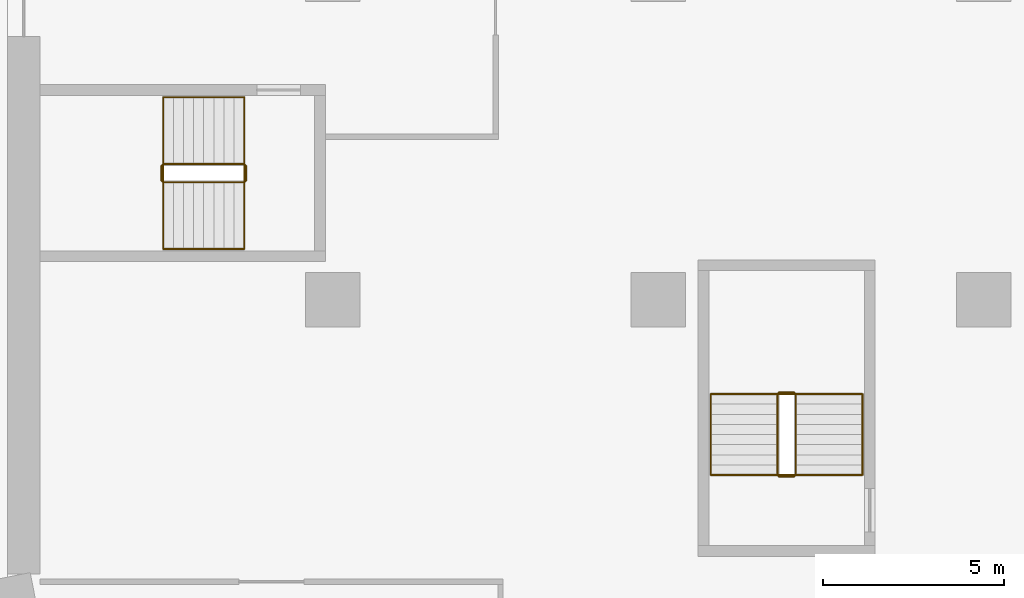
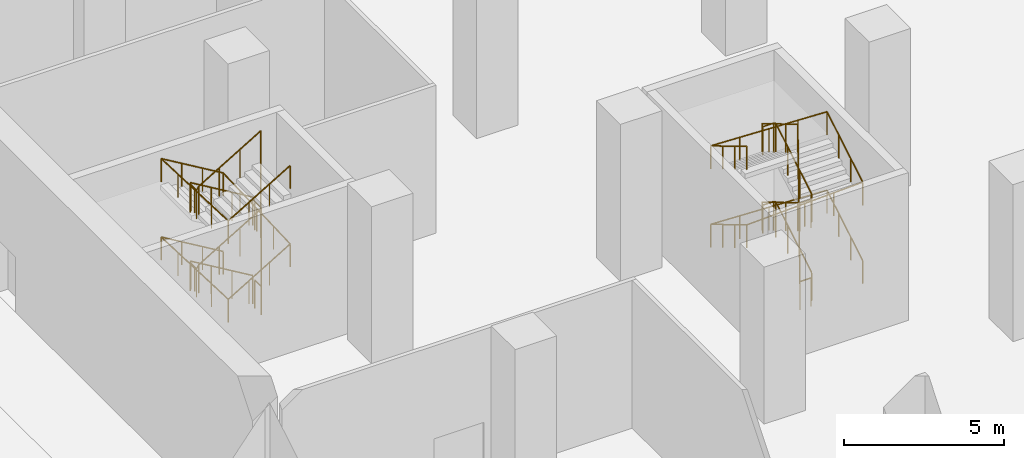
# One storey, part 36 of 47: 4 railings.
"""IFC4 building model written with IfcOpenShell, lengths in metres."""

from ifc_helpers import new_model, si_unit, direction, frame, origin, origin_2d, place, context, subcontext, project, spatial, circle, extrude, material, type_object, element, save


model = new_model("IFC4")

# Units and contexts
model_context = context("Model", 3, precision=1e-05, world=origin(), true_north=direction((0.0, 1.0)))
body_context = subcontext(model_context, "Body", "Model", "MODEL_VIEW")
ifc_project = project(units=[si_unit("LENGTHUNIT", "METRE"), si_unit("AREAUNIT", "SQUARE_METRE"), si_unit("VOLUMEUNIT", "CUBIC_METRE"), si_unit("PLANEANGLEUNIT", "RADIAN"), si_unit("MASSUNIT", "GRAM", prefix="KILO")], contexts=[model_context])

# Site, building, storey
site_placement = place(None, origin())
site = spatial("IfcSite", under=ifc_project, at=site_placement, CompositionType="ELEMENT")
building_placement = place(site_placement, origin())
building = spatial("IfcBuilding", under=site, at=building_placement, Name="Hunhe Ridgeline Campus", CompositionType="ELEMENT")
storey_placement = place(building_placement, origin())
storey = spatial("IfcBuildingStorey", under=building, at=storey_placement, Name="L00", CompositionType="ELEMENT", Elevation=0.0)

# Railings
ifc_material_1 = material(Name="Stainless steel balustrade", Category="steel")
railing_type_1 = type_object("IfcRailingType", Name="Stair guard 1100 stainless", PredefinedType="GUARDRAIL", material=ifc_material_1)
railing_1_placement = place(storey_placement, frame((21.800048828125, 31.14990234375, 0.166748046875)))
element("IfcRailing", 1, at=railing_1_placement, inside=storey, type_object=railing_type_1, Name="L00 stair W3 guard", PredefinedType="GUARDRAIL", context=body_context, shape_type="SweptSolid", body=[
    extrude(circle(Radius=0.02392578125, at=origin_2d()), frame((0.0, 0.0, 1.076171875), z_axis=(0.0, 0.859305625298, 0.511462454469), x_axis=(-1.0, 0.0, 0.0)), (0.0, 0.0, 1.0), 2.606689453125),
    extrude(circle(Radius=0.02392578125, at=origin_2d()), frame((0.0, 2.239990234375, 2.4091796875), z_axis=(-0.707106781187, 0.707106781187, 0.0), x_axis=(-0.707106781187, -0.707106781187, 0.0)), (0.0, 0.0, 1.0), 0.07080078125),
    extrude(circle(Radius=0.02392578125, at=origin_2d()), frame((-0.050048828125, 2.2900390625, 2.4091796875), z_axis=(-1.0, 0.0, 0.0), x_axis=(0.0, -1.0, 0.0)), (0.0, 0.0, 1.0), 0.39990234375),
    extrude(circle(Radius=0.02392578125, at=origin_2d()), frame((-0.449951171875, 2.2900390625, 2.4091796875), z_axis=(-0.27628659633, -0.27628659633, 0.920506074601), x_axis=(0.707106781187, -0.707106781187, 0.0)), (0.0, 0.0, 1.0), 0.18115234375),
    extrude(circle(Radius=0.02392578125, at=origin_2d()), frame((-0.5, 2.239990234375, 2.576171875), z_axis=(0.0, -0.859305625298, 0.511462454469), x_axis=(1.0, 0.0, 0.0)), (0.0, 0.0, 1.0), 2.606689453125),
    extrude(circle(Radius=0.02392578125, at=origin_2d()), frame((-0.5, 0.0, 3.9091796875), z_axis=(0.708833529934, -0.705375805398, 0.0), x_axis=(0.705375805398, 0.708833529934, 0.0)), (0.0, 0.0, 1.0), 0.070556640625),
    extrude(circle(Radius=0.02392578125, at=origin_2d()), frame((-0.449951171875, -0.0498046875, 3.9091796875), z_axis=(1.0, 0.0, 0.0), x_axis=(0.0, 1.0, 0.0)), (0.0, 0.0, 1.0), 0.39990234375),
    extrude(circle(Radius=0.02392578125, at=origin_2d()), frame((-0.050048828125, -0.0498046875, 3.9091796875), z_axis=(0.276389281352, 0.275041040955, 0.920848191041), x_axis=(-0.705375805398, 0.708833529934, 0.0)), (0.0, 0.0, 1.0), 0.18115234375),
    extrude(circle(Radius=0.02392578125, at=origin_2d()), frame((0.0, 0.0, 4.076171875), z_axis=(0.0, 0.859305625298, 0.511462454469), x_axis=(-1.0, 0.0, 0.0)), (0.0, 0.0, 1.0), 2.606689453125),
    extrude(circle(Radius=0.02392578125, at=origin_2d()), frame((0.0, 2.239990234375, 5.4091796875), z_axis=(-0.707106781187, 0.707106781187, 0.0), x_axis=(-0.707106781187, -0.707106781187, 0.0)), (0.0, 0.0, 1.0), 0.07080078125),
    extrude(circle(Radius=0.02392578125, at=origin_2d()), frame((-0.050048828125, 2.2900390625, 5.4091796875), z_axis=(-1.0, 0.0, 0.0), x_axis=(0.0, -1.0, 0.0)), (0.0, 0.0, 1.0), 0.39990234375),
    extrude(circle(Radius=0.02392578125, at=origin_2d()), frame((-0.449951171875, 2.2900390625, 5.4091796875), z_axis=(-0.27628659633, -0.27628659633, 0.920506074601), x_axis=(0.707106781187, -0.707106781187, 0.0)), (0.0, 0.0, 1.0), 0.18115234375),
    extrude(circle(Radius=0.02392578125, at=origin_2d()), frame((-0.5, 2.239990234375, 5.576171875), z_axis=(0.0, -0.859305625298, 0.511462454469), x_axis=(1.0, 0.0, 0.0)), (0.0, 0.0, 1.0), 2.606689453125),
    extrude(circle(Radius=0.02392578125, at=origin_2d()), frame((-0.5, 0.0, 6.9091796875), z_axis=(0.008340893838, -0.008300206551, -0.999930765634), x_axis=(1.0, 0.0, 0.0)), (0.0, 0.0, 1.0), 6.00048828125),
    extrude(circle(Radius=0.02392578125, at=origin_2d()), frame((-0.449951171875, -0.0498046875, 0.9091796875), z_axis=(1.0, 0.0, 0.0), x_axis=(0.0, 1.0, 0.0)), (0.0, 0.0, 1.0), 0.39990234375),
    extrude(circle(Radius=0.02099609375, at=origin_2d()), origin(), (0.0, 0.0, 1.0), 1.052001953125),
    extrude(circle(Radius=0.02099609375, at=origin_2d()), frame((0.0, 0.74658203125, 0.4443359375)), (0.0, 0.0, 1.0), 1.052001953125),
    extrude(circle(Radius=0.02099609375, at=origin_2d()), frame((0.0, 1.493408203125, 0.888916015625)), (0.0, 0.0, 1.0), 1.052001953125),
    extrude(circle(Radius=0.02099609375, at=origin_2d()), frame((0.0, 2.239990234375, 1.333251953125)), (0.0, 0.0, 1.0), 1.052001953125),
    extrude(circle(Radius=0.02099609375, at=origin_2d()), frame((-0.050048828125, 2.2900390625, 1.333251953125)), (0.0, 0.0, 1.0), 1.052001953125),
    extrude(circle(Radius=0.02099609375, at=origin_2d()), frame((-0.449951171875, 2.2900390625, 1.333251953125)), (0.0, 0.0, 1.0), 1.052001953125),
    extrude(circle(Radius=0.02099609375, at=origin_2d()), frame((-0.5, 2.239990234375, 1.5)), (0.0, 0.0, 1.0), 1.052001953125),
    extrude(circle(Radius=0.02099609375, at=origin_2d()), frame((-0.5, 1.493408203125, 1.9443359375)), (0.0, 0.0, 1.0), 1.052001953125),
    extrude(circle(Radius=0.02099609375, at=origin_2d()), frame((-0.5, 0.74658203125, 2.388916015625)), (0.0, 0.0, 1.0), 1.052001953125),
    extrude(circle(Radius=0.02099609375, at=origin_2d()), frame((-0.5, 0.0, 2.833251953125)), (0.0, 0.0, 1.0), 1.052001953125),
    extrude(circle(Radius=0.02099609375, at=origin_2d()), frame((-0.449951171875, -0.0498046875, 2.833251953125)), (0.0, 0.0, 1.0), 1.052001953125),
    extrude(circle(Radius=0.02099609375, at=origin_2d()), frame((-0.050048828125, -0.0498046875, 2.833251953125)), (0.0, 0.0, 1.0), 1.052001953125),
    extrude(circle(Radius=0.02099609375, at=origin_2d()), frame((0.0, 0.0, 3.0)), (0.0, 0.0, 1.0), 1.052001953125),
    extrude(circle(Radius=0.02099609375, at=origin_2d()), frame((0.0, 0.74658203125, 3.4443359375)), (0.0, 0.0, 1.0), 1.052001953125),
    extrude(circle(Radius=0.02099609375, at=origin_2d()), frame((0.0, 1.493408203125, 3.888916015625)), (0.0, 0.0, 1.0), 1.052001953125),
    extrude(circle(Radius=0.02099609375, at=origin_2d()), frame((0.0, 2.239990234375, 4.333251953125)), (0.0, 0.0, 1.0), 1.052001953125),
    extrude(circle(Radius=0.02099609375, at=origin_2d()), frame((-0.050048828125, 2.2900390625, 4.333251953125)), (0.0, 0.0, 1.0), 1.052001953125),
    extrude(circle(Radius=0.02099609375, at=origin_2d()), frame((-0.449951171875, 2.2900390625, 4.333251953125)), (0.0, 0.0, 1.0), 1.052001953125),
    extrude(circle(Radius=0.02099609375, at=origin_2d()), frame((-0.5, 2.239990234375, 4.5)), (0.0, 0.0, 1.0), 1.052001953125),
    extrude(circle(Radius=0.02099609375, at=origin_2d()), frame((-0.5, 1.493408203125, 4.9443359375)), (0.0, 0.0, 1.0), 1.052001953125),
    extrude(circle(Radius=0.02099609375, at=origin_2d()), frame((-0.5, 0.74658203125, 5.388916015625)), (0.0, 0.0, 1.0), 1.052001953125),
    extrude(circle(Radius=0.02099609375, at=origin_2d()), frame((-0.5, 0.0, 5.833251953125)), (0.0, 0.0, 1.0), 1.052001953125),
    extrude(circle(Radius=0.02099609375, at=origin_2d()), frame((-0.49169921875, -0.00830078125, 4.833251953125)), (0.0, 0.0, 1.0), 1.052001953125),
    extrude(circle(Radius=0.02099609375, at=origin_2d()), frame((-0.4833984375, -0.0166015625, 3.833251953125)), (0.0, 0.0, 1.0), 1.052001953125),
    extrude(circle(Radius=0.02099609375, at=origin_2d()), frame((-0.47509765625, -0.02490234375, 2.833251953125)), (0.0, 0.0, 1.0), 1.052001953125),
    extrude(circle(Radius=0.02099609375, at=origin_2d()), frame((-0.466552734375, -0.033203125, 1.833251953125)), (0.0, 0.0, 1.0), 1.052001953125),
    extrude(circle(Radius=0.02099609375, at=origin_2d()), frame((-0.458251953125, -0.04150390625, 0.833251953125)), (0.0, 0.0, 1.0), 1.052001953125),
    extrude(circle(Radius=0.02099609375, at=origin_2d()), frame((-0.449951171875, -0.0498046875, -0.166748046875)), (0.0, 0.0, 1.0), 1.052001953125),
    extrude(circle(Radius=0.02099609375, at=origin_2d()), frame((-0.050048828125, -0.0498046875, -0.166748046875)), (0.0, 0.0, 1.0), 1.052001953125),
])
railing_2_placement = place(storey_placement, frame((6.550048828125, 39.75, 0.166748046875)))
element("IfcRailing", 2, at=railing_2_placement, inside=storey, type_object=railing_type_1, Name="L00 stair W1 guard", PredefinedType="GUARDRAIL", context=body_context, shape_type="SweptSolid", body=[
    extrude(circle(Radius=0.02392578125, at=origin_2d()), frame((0.0, 0.0, 1.076171875), z_axis=(-0.859305625298, 0.0, 0.511462454469), x_axis=(0.0, -1.0, 0.0)), (0.0, 0.0, 1.0), 2.606689453125),
    extrude(circle(Radius=0.02392578125, at=origin_2d()), frame((-2.239990234375, 0.0, 2.4091796875), z_axis=(-0.707106781187, -0.707106781187, 0.0), x_axis=(0.707106781187, -0.707106781187, 0.0)), (0.0, 0.0, 1.0), 0.07080078125),
    extrude(circle(Radius=0.02392578125, at=origin_2d()), frame((-2.2900390625, -0.050048828125, 2.4091796875), z_axis=(0.0, -1.0, 0.0), x_axis=(1.0, 0.0, 0.0)), (0.0, 0.0, 1.0), 0.39990234375),
    extrude(circle(Radius=0.02392578125, at=origin_2d()), frame((-2.2900390625, -0.449951171875, 2.4091796875), z_axis=(0.27628659633, -0.27628659633, 0.920506074601), x_axis=(0.707106781187, 0.707106781187, 0.0)), (0.0, 0.0, 1.0), 0.18115234375),
    extrude(circle(Radius=0.02392578125, at=origin_2d()), frame((-2.239990234375, -0.5, 2.576171875), z_axis=(0.859305625298, 0.0, 0.511462454469), x_axis=(0.0, 1.0, 0.0)), (0.0, 0.0, 1.0), 2.606689453125),
    extrude(circle(Radius=0.02392578125, at=origin_2d()), frame((0.0, -0.5, 3.9091796875), z_axis=(0.707106781187, 0.707106781187, 0.0), x_axis=(-0.707106781187, 0.707106781187, 0.0)), (0.0, 0.0, 1.0), 0.07080078125),
    extrude(circle(Radius=0.02392578125, at=origin_2d()), frame((0.050048828125, -0.449951171875, 3.9091796875), z_axis=(0.0, 1.0, 0.0), x_axis=(-1.0, 0.0, 0.0)), (0.0, 0.0, 1.0), 0.39990234375),
    extrude(circle(Radius=0.02392578125, at=origin_2d()), frame((0.050048828125, -0.050048828125, 3.9091796875), z_axis=(-0.27628659633, 0.27628659633, 0.920506074601), x_axis=(-0.707106781187, -0.707106781187, 0.0)), (0.0, 0.0, 1.0), 0.18115234375),
    extrude(circle(Radius=0.02392578125, at=origin_2d()), frame((0.0, 0.0, 4.076171875), z_axis=(-0.859305625298, 0.0, 0.511462454469), x_axis=(0.0, -1.0, 0.0)), (0.0, 0.0, 1.0), 2.606689453125),
    extrude(circle(Radius=0.02392578125, at=origin_2d()), frame((-2.239990234375, 0.0, 5.4091796875), z_axis=(-0.707106781187, -0.707106781187, 0.0), x_axis=(0.707106781187, -0.707106781187, 0.0)), (0.0, 0.0, 1.0), 0.07080078125),
    extrude(circle(Radius=0.02392578125, at=origin_2d()), frame((-2.2900390625, -0.050048828125, 5.4091796875), z_axis=(0.0, -1.0, 0.0), x_axis=(1.0, 0.0, 0.0)), (0.0, 0.0, 1.0), 0.39990234375),
    extrude(circle(Radius=0.02392578125, at=origin_2d()), frame((-2.2900390625, -0.449951171875, 5.4091796875), z_axis=(0.27628659633, -0.27628659633, 0.920506074601), x_axis=(0.707106781187, 0.707106781187, 0.0)), (0.0, 0.0, 1.0), 0.18115234375),
    extrude(circle(Radius=0.02392578125, at=origin_2d()), frame((-2.239990234375, -0.5, 5.576171875), z_axis=(0.859305625298, 0.0, 0.511462454469), x_axis=(0.0, 1.0, 0.0)), (0.0, 0.0, 1.0), 2.606689453125),
    extrude(circle(Radius=0.02392578125, at=origin_2d()), frame((0.0, -0.5, 6.9091796875), z_axis=(0.008340891014, 0.008340891014, -0.999930427117), x_axis=(1.0, 0.0, 0.0)), (0.0, 0.0, 1.0), 6.00048828125),
    extrude(circle(Radius=0.02392578125, at=origin_2d()), frame((0.050048828125, -0.449951171875, 0.9091796875), z_axis=(0.0, 1.0, 0.0), x_axis=(-1.0, 0.0, 0.0)), (0.0, 0.0, 1.0), 0.39990234375),
    extrude(circle(Radius=0.02099609375, at=origin_2d()), origin(), (0.0, 0.0, 1.0), 1.052001953125),
    extrude(circle(Radius=0.02099609375, at=origin_2d()), frame((-0.74658203125, 0.0, 0.4443359375)), (0.0, 0.0, 1.0), 1.052001953125),
    extrude(circle(Radius=0.02099609375, at=origin_2d()), frame((-1.493408203125, 0.0, 0.888916015625)), (0.0, 0.0, 1.0), 1.052001953125),
    extrude(circle(Radius=0.02099609375, at=origin_2d()), frame((-2.239990234375, 0.0, 1.333251953125)), (0.0, 0.0, 1.0), 1.052001953125),
    extrude(circle(Radius=0.02099609375, at=origin_2d()), frame((-2.2900390625, -0.050048828125, 1.333251953125)), (0.0, 0.0, 1.0), 1.052001953125),
    extrude(circle(Radius=0.02099609375, at=origin_2d()), frame((-2.2900390625, -0.449951171875, 1.333251953125)), (0.0, 0.0, 1.0), 1.052001953125),
    extrude(circle(Radius=0.02099609375, at=origin_2d()), frame((-2.239990234375, -0.5, 1.5)), (0.0, 0.0, 1.0), 1.052001953125),
    extrude(circle(Radius=0.02099609375, at=origin_2d()), frame((-1.493408203125, -0.5, 1.9443359375)), (0.0, 0.0, 1.0), 1.052001953125),
    extrude(circle(Radius=0.02099609375, at=origin_2d()), frame((-0.74658203125, -0.5, 2.388916015625)), (0.0, 0.0, 1.0), 1.052001953125),
    extrude(circle(Radius=0.02099609375, at=origin_2d()), frame((0.0, -0.5, 2.833251953125)), (0.0, 0.0, 1.0), 1.052001953125),
    extrude(circle(Radius=0.02099609375, at=origin_2d()), frame((0.050048828125, -0.449951171875, 2.833251953125)), (0.0, 0.0, 1.0), 1.052001953125),
    extrude(circle(Radius=0.02099609375, at=origin_2d()), frame((0.050048828125, -0.050048828125, 2.833251953125)), (0.0, 0.0, 1.0), 1.052001953125),
    extrude(circle(Radius=0.02099609375, at=origin_2d()), frame((0.0, 0.0, 3.0)), (0.0, 0.0, 1.0), 1.052001953125),
    extrude(circle(Radius=0.02099609375, at=origin_2d()), frame((-0.74658203125, 0.0, 3.4443359375)), (0.0, 0.0, 1.0), 1.052001953125),
    extrude(circle(Radius=0.02099609375, at=origin_2d()), frame((-1.493408203125, 0.0, 3.888916015625)), (0.0, 0.0, 1.0), 1.052001953125),
    extrude(circle(Radius=0.02099609375, at=origin_2d()), frame((-2.239990234375, 0.0, 4.333251953125)), (0.0, 0.0, 1.0), 1.052001953125),
    extrude(circle(Radius=0.02099609375, at=origin_2d()), frame((-2.2900390625, -0.050048828125, 4.333251953125)), (0.0, 0.0, 1.0), 1.052001953125),
    extrude(circle(Radius=0.02099609375, at=origin_2d()), frame((-2.2900390625, -0.449951171875, 4.333251953125)), (0.0, 0.0, 1.0), 1.052001953125),
    extrude(circle(Radius=0.02099609375, at=origin_2d()), frame((-2.239990234375, -0.5, 4.5)), (0.0, 0.0, 1.0), 1.052001953125),
    extrude(circle(Radius=0.02099609375, at=origin_2d()), frame((-1.493408203125, -0.5, 4.9443359375)), (0.0, 0.0, 1.0), 1.052001953125),
    extrude(circle(Radius=0.02099609375, at=origin_2d()), frame((-0.74658203125, -0.5, 5.388916015625)), (0.0, 0.0, 1.0), 1.052001953125),
    extrude(circle(Radius=0.02099609375, at=origin_2d()), frame((0.0, -0.5, 5.833251953125)), (0.0, 0.0, 1.0), 1.052001953125),
    extrude(circle(Radius=0.02099609375, at=origin_2d()), frame((0.00830078125, -0.49169921875, 4.833251953125)), (0.0, 0.0, 1.0), 1.052001953125),
    extrude(circle(Radius=0.02099609375, at=origin_2d()), frame((0.0166015625, -0.4833984375, 3.833251953125)), (0.0, 0.0, 1.0), 1.052001953125),
    extrude(circle(Radius=0.02099609375, at=origin_2d()), frame((0.02490234375, -0.47509765625, 2.833251953125)), (0.0, 0.0, 1.0), 1.052001953125),
    extrude(circle(Radius=0.02099609375, at=origin_2d()), frame((0.033447265625, -0.466552734375, 1.833251953125)), (0.0, 0.0, 1.0), 1.052001953125),
    extrude(circle(Radius=0.02099609375, at=origin_2d()), frame((0.041748046875, -0.458251953125, 0.833251953125)), (0.0, 0.0, 1.0), 1.052001953125),
    extrude(circle(Radius=0.02099609375, at=origin_2d()), frame((0.050048828125, -0.449951171875, -0.166748046875)), (0.0, 0.0, 1.0), 1.052001953125),
    extrude(circle(Radius=0.02099609375, at=origin_2d()), frame((0.050048828125, -0.050048828125, -0.166748046875)), (0.0, 0.0, 1.0), 1.052001953125),
])
ifc_material_2 = material(Name="Stainless steel handrail", Category="steel")
railing_type_2 = type_object("IfcRailingType", Name="Stair handrail 900 stainless", PredefinedType="HANDRAIL", material=ifc_material_2)
railing_3_placement = place(storey_placement, frame((23.64990234375, 31.14990234375, 0.166748046875)))
element("IfcRailing", 3, at=railing_3_placement, inside=storey, type_object=railing_type_2, Name="L00 stair W3 handrail", PredefinedType="HANDRAIL", context=body_context, shape_type="SweptSolid", body=[
    extrude(circle(Radius=0.02392578125, at=origin_2d()), frame((0.0, 0.0, 0.8759765625), z_axis=(0.0, 0.859305625298, 0.511462454469), x_axis=(-1.0, 0.0, 0.0)), (0.0, 0.0, 1.0), 2.606689453125),
    extrude(circle(Radius=0.02392578125, at=origin_2d()), frame((0.0, 2.239990234375, 2.208984375), z_axis=(-0.999212791134, 0.0, 0.039671123429), x_axis=(0.0, -1.0, 0.0)), (0.0, 0.0, 1.0), 4.203369140625),
    extrude(circle(Radius=0.02392578125, at=origin_2d()), frame((-4.199951171875, 2.239990234375, 2.3759765625), z_axis=(0.0, -0.859305625298, 0.511462454469), x_axis=(1.0, 0.0, 0.0)), (0.0, 0.0, 1.0), 2.606689453125),
    extrude(circle(Radius=0.02392578125, at=origin_2d()), frame((-4.199951171875, 0.0, 3.708984375), z_axis=(0.999212791134, 0.0, 0.039671123429), x_axis=(0.0, 1.0, 0.0)), (0.0, 0.0, 1.0), 4.203369140625),
    extrude(circle(Radius=0.02392578125, at=origin_2d()), frame((0.0, 0.0, 3.8759765625), z_axis=(0.0, 0.859305625298, 0.511462454469), x_axis=(-1.0, 0.0, 0.0)), (0.0, 0.0, 1.0), 2.606689453125),
    extrude(circle(Radius=0.02392578125, at=origin_2d()), frame((0.0, 2.239990234375, 5.208984375), z_axis=(-0.999212791134, 0.0, 0.039671123429), x_axis=(0.0, -1.0, 0.0)), (0.0, 0.0, 1.0), 4.203369140625),
    extrude(circle(Radius=0.02392578125, at=origin_2d()), frame((-4.199951171875, 2.239990234375, 5.3759765625), z_axis=(0.0, -0.859305625298, 0.511462454469), x_axis=(1.0, 0.0, 0.0)), (0.0, 0.0, 1.0), 2.606689453125),
    extrude(circle(Radius=0.02099609375, at=origin_2d()), origin(), (0.0, 0.0, 1.0), 0.851806640625),
    extrude(circle(Radius=0.02099609375, at=origin_2d()), frame((0.0, 0.74658203125, 0.4443359375)), (0.0, 0.0, 1.0), 0.851806640625),
    extrude(circle(Radius=0.02099609375, at=origin_2d()), frame((0.0, 1.493408203125, 0.888916015625)), (0.0, 0.0, 1.0), 0.851806640625),
    extrude(circle(Radius=0.02099609375, at=origin_2d()), frame((0.0, 2.239990234375, 1.333251953125)), (0.0, 0.0, 1.0), 0.851806640625),
    extrude(circle(Radius=0.02099609375, at=origin_2d()), frame((-1.050048828125, 2.239990234375, 1.375)), (0.0, 0.0, 1.0), 0.851806640625),
    extrude(circle(Radius=0.02099609375, at=origin_2d()), frame((-2.10009765625, 2.239990234375, 1.41650390625)), (0.0, 0.0, 1.0), 0.851806640625),
    extrude(circle(Radius=0.02099609375, at=origin_2d()), frame((-3.14990234375, 2.239990234375, 1.458251953125)), (0.0, 0.0, 1.0), 0.851806640625),
    extrude(circle(Radius=0.02099609375, at=origin_2d()), frame((-4.199951171875, 2.239990234375, 1.5)), (0.0, 0.0, 1.0), 0.851806640625),
    extrude(circle(Radius=0.02099609375, at=origin_2d()), frame((-4.199951171875, 1.493408203125, 1.9443359375)), (0.0, 0.0, 1.0), 0.851806640625),
    extrude(circle(Radius=0.02099609375, at=origin_2d()), frame((-4.199951171875, 0.74658203125, 2.388916015625)), (0.0, 0.0, 1.0), 0.851806640625),
    extrude(circle(Radius=0.02099609375, at=origin_2d()), frame((-4.199951171875, 0.0, 2.833251953125)), (0.0, 0.0, 1.0), 0.851806640625),
    extrude(circle(Radius=0.02099609375, at=origin_2d()), frame((-3.14990234375, 0.0, 2.875)), (0.0, 0.0, 1.0), 0.851806640625),
    extrude(circle(Radius=0.02099609375, at=origin_2d()), frame((-2.10009765625, 0.0, 2.91650390625)), (0.0, 0.0, 1.0), 0.851806640625),
    extrude(circle(Radius=0.02099609375, at=origin_2d()), frame((-1.050048828125, 0.0, 2.958251953125)), (0.0, 0.0, 1.0), 0.851806640625),
    extrude(circle(Radius=0.02099609375, at=origin_2d()), frame((0.0, 0.0, 3.0)), (0.0, 0.0, 1.0), 0.851806640625),
    extrude(circle(Radius=0.02099609375, at=origin_2d()), frame((0.0, 0.74658203125, 3.4443359375)), (0.0, 0.0, 1.0), 0.851806640625),
    extrude(circle(Radius=0.02099609375, at=origin_2d()), frame((0.0, 1.493408203125, 3.888916015625)), (0.0, 0.0, 1.0), 0.851806640625),
    extrude(circle(Radius=0.02099609375, at=origin_2d()), frame((0.0, 2.239990234375, 4.333251953125)), (0.0, 0.0, 1.0), 0.851806640625),
    extrude(circle(Radius=0.02099609375, at=origin_2d()), frame((-1.050048828125, 2.239990234375, 4.375)), (0.0, 0.0, 1.0), 0.851806640625),
    extrude(circle(Radius=0.02099609375, at=origin_2d()), frame((-2.10009765625, 2.239990234375, 4.41650390625)), (0.0, 0.0, 1.0), 0.851806640625),
    extrude(circle(Radius=0.02099609375, at=origin_2d()), frame((-3.14990234375, 2.239990234375, 4.458251953125)), (0.0, 0.0, 1.0), 0.851806640625),
    extrude(circle(Radius=0.02099609375, at=origin_2d()), frame((-4.199951171875, 2.239990234375, 4.5)), (0.0, 0.0, 1.0), 0.851806640625),
    extrude(circle(Radius=0.02099609375, at=origin_2d()), frame((-4.199951171875, 1.493408203125, 4.9443359375)), (0.0, 0.0, 1.0), 0.851806640625),
    extrude(circle(Radius=0.02099609375, at=origin_2d()), frame((-4.199951171875, 0.74658203125, 5.388916015625)), (0.0, 0.0, 1.0), 0.851806640625),
    extrude(circle(Radius=0.02099609375, at=origin_2d()), frame((-4.199951171875, 0.0, 5.833251953125)), (0.0, 0.0, 1.0), 0.851806640625),
])
railing_4_placement = place(storey_placement, frame((6.550048828125, 41.60009765625, 0.166748046875)))
element("IfcRailing", 4, at=railing_4_placement, inside=storey, type_object=railing_type_2, Name="L00 stair W1 handrail", PredefinedType="HANDRAIL", context=body_context, shape_type="SweptSolid", body=[
    extrude(circle(Radius=0.02392578125, at=origin_2d()), frame((0.0, 0.0, 0.8759765625), z_axis=(-0.859305625298, 0.0, 0.511462454469), x_axis=(0.0, -1.0, 0.0)), (0.0, 0.0, 1.0), 2.606689453125),
    extrude(circle(Radius=0.02392578125, at=origin_2d()), frame((-2.239990234375, 0.0, 2.208984375), z_axis=(0.0, -0.999212882538, 0.039668821133), x_axis=(1.0, 0.0, 0.0)), (0.0, 0.0, 1.0), 4.20361328125),
    extrude(circle(Radius=0.02392578125, at=origin_2d()), frame((-2.239990234375, -4.2001953125, 2.3759765625), z_axis=(0.859305625298, 0.0, 0.511462454469), x_axis=(0.0, 1.0, 0.0)), (0.0, 0.0, 1.0), 2.606689453125),
    extrude(circle(Radius=0.02392578125, at=origin_2d()), frame((0.0, -4.2001953125, 3.708984375), z_axis=(0.0, 0.999212882538, 0.039668821133), x_axis=(-1.0, 0.0, 0.0)), (0.0, 0.0, 1.0), 4.20361328125),
    extrude(circle(Radius=0.02392578125, at=origin_2d()), frame((0.0, 0.0, 3.8759765625), z_axis=(-0.859305625298, 0.0, 0.511462454469), x_axis=(0.0, -1.0, 0.0)), (0.0, 0.0, 1.0), 2.606689453125),
    extrude(circle(Radius=0.02392578125, at=origin_2d()), frame((-2.239990234375, 0.0, 5.208984375), z_axis=(0.0, -0.999212882538, 0.039668821133), x_axis=(1.0, 0.0, 0.0)), (0.0, 0.0, 1.0), 4.20361328125),
    extrude(circle(Radius=0.02392578125, at=origin_2d()), frame((-2.239990234375, -4.2001953125, 5.3759765625), z_axis=(0.859305625298, 0.0, 0.511462454469), x_axis=(0.0, 1.0, 0.0)), (0.0, 0.0, 1.0), 2.606689453125),
    extrude(circle(Radius=0.02099609375, at=origin_2d()), origin(), (0.0, 0.0, 1.0), 0.851806640625),
    extrude(circle(Radius=0.02099609375, at=origin_2d()), frame((-0.74658203125, 0.0, 0.4443359375)), (0.0, 0.0, 1.0), 0.851806640625),
    extrude(circle(Radius=0.02099609375, at=origin_2d()), frame((-1.493408203125, 0.0, 0.888916015625)), (0.0, 0.0, 1.0), 0.851806640625),
    extrude(circle(Radius=0.02099609375, at=origin_2d()), frame((-2.239990234375, 0.0, 1.333251953125)), (0.0, 0.0, 1.0), 0.851806640625),
    extrude(circle(Radius=0.02099609375, at=origin_2d()), frame((-2.239990234375, -1.050048828125, 1.375)), (0.0, 0.0, 1.0), 0.851806640625),
    extrude(circle(Radius=0.02099609375, at=origin_2d()), frame((-2.239990234375, -2.10009765625, 1.41650390625)), (0.0, 0.0, 1.0), 0.851806640625),
    extrude(circle(Radius=0.02099609375, at=origin_2d()), frame((-2.239990234375, -3.150146484375, 1.458251953125)), (0.0, 0.0, 1.0), 0.851806640625),
    extrude(circle(Radius=0.02099609375, at=origin_2d()), frame((-2.239990234375, -4.2001953125, 1.5)), (0.0, 0.0, 1.0), 0.851806640625),
    extrude(circle(Radius=0.02099609375, at=origin_2d()), frame((-1.493408203125, -4.2001953125, 1.9443359375)), (0.0, 0.0, 1.0), 0.851806640625),
    extrude(circle(Radius=0.02099609375, at=origin_2d()), frame((-0.74658203125, -4.2001953125, 2.388916015625)), (0.0, 0.0, 1.0), 0.851806640625),
    extrude(circle(Radius=0.02099609375, at=origin_2d()), frame((0.0, -4.2001953125, 2.833251953125)), (0.0, 0.0, 1.0), 0.851806640625),
    extrude(circle(Radius=0.02099609375, at=origin_2d()), frame((0.0, -3.150146484375, 2.875)), (0.0, 0.0, 1.0), 0.851806640625),
    extrude(circle(Radius=0.02099609375, at=origin_2d()), frame((0.0, -2.10009765625, 2.91650390625)), (0.0, 0.0, 1.0), 0.851806640625),
    extrude(circle(Radius=0.02099609375, at=origin_2d()), frame((0.0, -1.050048828125, 2.958251953125)), (0.0, 0.0, 1.0), 0.851806640625),
    extrude(circle(Radius=0.02099609375, at=origin_2d()), frame((0.0, 0.0, 3.0)), (0.0, 0.0, 1.0), 0.851806640625),
    extrude(circle(Radius=0.02099609375, at=origin_2d()), frame((-0.74658203125, 0.0, 3.4443359375)), (0.0, 0.0, 1.0), 0.851806640625),
    extrude(circle(Radius=0.02099609375, at=origin_2d()), frame((-1.493408203125, 0.0, 3.888916015625)), (0.0, 0.0, 1.0), 0.851806640625),
    extrude(circle(Radius=0.02099609375, at=origin_2d()), frame((-2.239990234375, 0.0, 4.333251953125)), (0.0, 0.0, 1.0), 0.851806640625),
    extrude(circle(Radius=0.02099609375, at=origin_2d()), frame((-2.239990234375, -1.050048828125, 4.375)), (0.0, 0.0, 1.0), 0.851806640625),
    extrude(circle(Radius=0.02099609375, at=origin_2d()), frame((-2.239990234375, -2.10009765625, 4.41650390625)), (0.0, 0.0, 1.0), 0.851806640625),
    extrude(circle(Radius=0.02099609375, at=origin_2d()), frame((-2.239990234375, -3.150146484375, 4.458251953125)), (0.0, 0.0, 1.0), 0.851806640625),
    extrude(circle(Radius=0.02099609375, at=origin_2d()), frame((-2.239990234375, -4.2001953125, 4.5)), (0.0, 0.0, 1.0), 0.851806640625),
    extrude(circle(Radius=0.02099609375, at=origin_2d()), frame((-1.493408203125, -4.2001953125, 4.9443359375)), (0.0, 0.0, 1.0), 0.851806640625),
    extrude(circle(Radius=0.02099609375, at=origin_2d()), frame((-0.74658203125, -4.2001953125, 5.388916015625)), (0.0, 0.0, 1.0), 0.851806640625),
    extrude(circle(Radius=0.02099609375, at=origin_2d()), frame((0.0, -4.2001953125, 5.833251953125)), (0.0, 0.0, 1.0), 0.851806640625),
])

save(model, "model.ifc")
